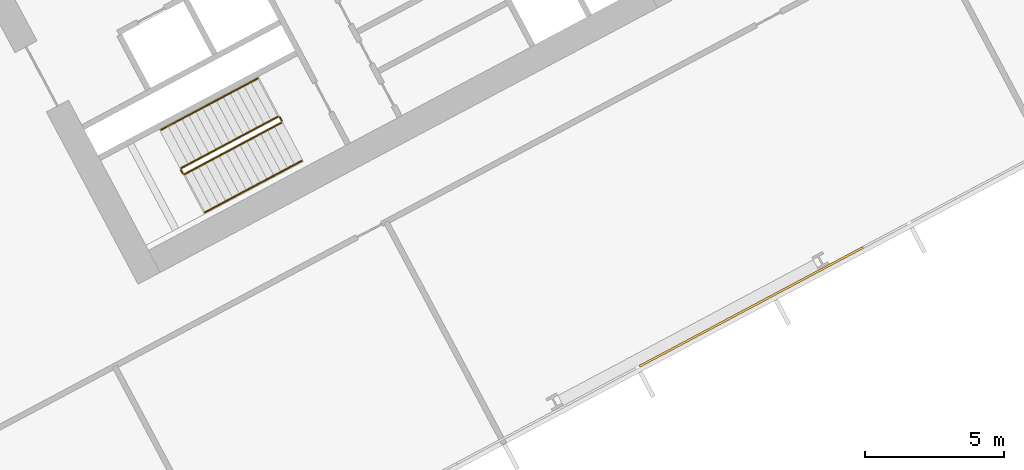
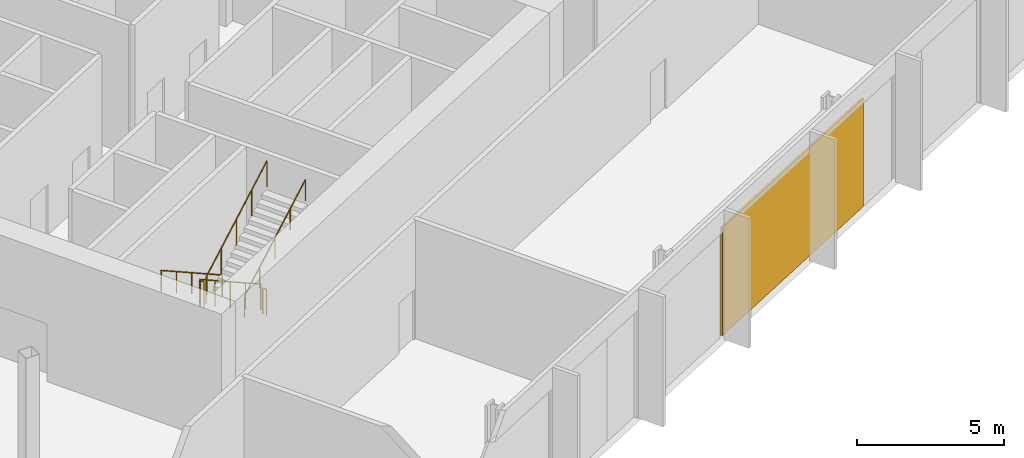
# One storey, part 27 of 31: 6 railings, 1 covering, 1 element without a shape of its own.
"""IFC4 building model written with IfcOpenShell, lengths in metres."""

from ifc_helpers import new_model, si_unit, direction, frame, origin, origin_2d, place, context, subcontext, project, spatial, polyline, rectangle, outline, extrude, material, layer, layer_set, type_object, element, aggregate, save


model = new_model("IFC4")

# Units and contexts
model_context = context("Model", 3, precision=1e-05, world=origin(), true_north=direction((0.0, 1.0)))
body_context = subcontext(model_context, "Body", "Model", "MODEL_VIEW")
ifc_project = project(units=[si_unit("LENGTHUNIT", "METRE"), si_unit("AREAUNIT", "SQUARE_METRE"), si_unit("VOLUMEUNIT", "CUBIC_METRE"), si_unit("PLANEANGLEUNIT", "RADIAN"), si_unit("MASSUNIT", "GRAM", prefix="KILO")], contexts=[model_context])

# Site, building, storey
site_placement = place(None, origin())
site = spatial("IfcSite", under=ifc_project, at=site_placement, CompositionType="ELEMENT")
building_placement = place(site_placement, origin())
building = spatial("IfcBuilding", under=site, at=building_placement, Name="Cormorant Relay Tower", CompositionType="ELEMENT")
storey_placement = place(building_placement, frame((0.0, 0.0, 33.800048828125)))
storey = spatial("IfcBuildingStorey", under=building, at=storey_placement, Name="L06", CompositionType="ELEMENT", Elevation=33.800048828125)

# Curtain wall, covering
ifc_material_1 = material(Name="Aluminium 6063-T6 anodised bronze", Category="aluminium")
ifc_layer_1 = layer(ifc_material_1, 0.235107421875)
ifc_layer_set_1 = layer_set([ifc_layer_1], Name="CW6 data hall curtain wall with mineral wool panels")
curtain_wall_type = type_object("IfcCurtainWallType", Name="CW6 data hall curtain wall with mineral wool panels", PredefinedType="NOTDEFINED", material=ifc_layer_set_1)
curtain_wall_placement = place(storey_placement, origin())
curtain_wall = element("IfcCurtainWall", 1, at=curtain_wall_placement, inside=storey, type_object=curtain_wall_type, Name="CW6 curtain wall 2", PredefinedType="NOTDEFINED")
ifc_material_2 = material(Name="Mineral wool cored anodised bronze aluminium cassette panel", Category="aluminium")
ifc_layer_2 = layer(ifc_material_2, 0.074951171875)
ifc_layer_set_2 = layer_set([ifc_layer_2], Name="CW6 mineral wool cassette panel 75")
covering_type = type_object("IfcCoveringType", Name="CW6 mineral wool cassette panel 75", PredefinedType="CLADDING", material=ifc_layer_set_2)
covering_placement = place(storey_placement, frame((40.80517578125, -2.1298828125, 0.0), z_axis=(0.0, 0.0, 1.0), x_axis=(0.882947592859, 0.469471562786, 0.0)))
covering = element("IfcCovering", 2, at=covering_placement, type_object=covering_type, Name="CW6 panel S07", PredefinedType="CLADDING", context=body_context, shape_type="SweptSolid", body=[
    extrude(rectangle(XDim=9.07373046875, YDim=0.074951171875, at=origin_2d()), origin(), (0.0, 0.0, 1.0), 4.5),
])
aggregate(curtain_wall, [covering])

# Railings
ifc_material_3 = material(Name="Steel ASTM A572 Grade 50 (Fy 345 MPa)", Category="steel")
railing_type_1 = type_object("IfcRailingType", Name="Stair guard 1100", PredefinedType="GUARDRAIL", material=ifc_material_3)
railing_1_placement = place(storey_placement, frame((23.83837890625, 4.6904296875, 0.179931640625)))
element("IfcRailing", 3, at=railing_1_placement, inside=storey, type_object=railing_type_1, Name="L06 B1 stair guard 1", PredefinedType="GUARDRAIL", context=body_context, shape_type="SweptSolid", body=[
    extrude(outline(polyline([(0.022216796875, 0.00927734375), (0.00927734375, 0.022216796875), (-0.00927734375, 0.022216796875), (-0.022216796875, 0.00927734375), (-0.022216796875, -0.00927734375), (-0.00927734375, -0.022216796875), (0.00927734375, -0.022216796875), (0.022216796875, -0.00927734375), (0.022216796875, 0.00927734375)])), frame((0.0, 0.0, 1.076171875), z_axis=(-0.74271721126, -0.394907409077, 0.540758062681), x_axis=(0.469469396681, -0.882948744594, 0.0)), (0.0, 0.0, 1.0), 4.66015625),
    extrude(outline(polyline([(0.019287109375, 0.008056640625), (0.008056640625, 0.019287109375), (-0.008056640625, 0.019287109375), (-0.019287109375, 0.008056640625), (-0.019287109375, -0.008056640625), (-0.008056640625, -0.019287109375), (0.008056640625, -0.019287109375), (0.019287109375, -0.008056640625), (0.019287109375, 0.008056640625)])), origin(), (0.0, 0.0, 1.0), 1.052001953125),
    extrude(outline(polyline([(0.019287109375, 0.008056640625), (0.008056640625, 0.019287109375), (-0.008056640625, 0.019287109375), (-0.019287109375, 0.008056640625), (-0.019287109375, -0.008056640625), (-0.008056640625, -0.019287109375), (0.008056640625, -0.019287109375), (0.019287109375, -0.008056640625), (0.019287109375, 0.008056640625)])), frame((-0.865234375, -0.4599609375, 0.6298828125)), (0.0, 0.0, 1.0), 1.052001953125),
    extrude(outline(polyline([(0.019287109375, 0.008056640625), (0.008056640625, 0.019287109375), (-0.008056640625, 0.019287109375), (-0.019287109375, 0.008056640625), (-0.019287109375, -0.008056640625), (-0.008056640625, -0.019287109375), (0.008056640625, -0.019287109375), (0.019287109375, -0.008056640625), (0.019287109375, 0.008056640625)])), frame((-1.73046875, -0.920166015625, 1.260009765625)), (0.0, 0.0, 1.0), 1.052001953125),
    extrude(outline(polyline([(0.019287109375, 0.008056640625), (0.008056640625, 0.019287109375), (-0.008056640625, 0.019287109375), (-0.019287109375, 0.008056640625), (-0.019287109375, -0.008056640625), (-0.008056640625, -0.019287109375), (0.008056640625, -0.019287109375), (0.019287109375, -0.008056640625), (0.019287109375, 0.008056640625)])), frame((-2.595947265625, -1.38037109375, 1.89013671875)), (0.0, 0.0, 1.0), 1.052001953125),
    extrude(outline(polyline([(0.019287109375, 0.008056640625), (0.008056640625, 0.019287109375), (-0.008056640625, 0.019287109375), (-0.019287109375, 0.008056640625), (-0.019287109375, -0.008056640625), (-0.008056640625, -0.019287109375), (0.008056640625, -0.019287109375), (0.019287109375, -0.008056640625), (0.019287109375, 0.008056640625)])), frame((-3.461181640625, -1.84033203125, 2.52001953125)), (0.0, 0.0, 1.0), 1.052001953125),
])
railing_2_placement = place(storey_placement, frame((20.3564453125, 2.782470703125, 2.699951171875)))
element("IfcRailing", 4, at=railing_2_placement, inside=storey, type_object=railing_type_1, Name="L06 B1 stair guard 2", PredefinedType="GUARDRAIL", context=body_context, shape_type="SweptSolid", body=[
    extrude(outline(polyline([(0.022216796875, 0.00927734375), (0.00927734375, 0.022216796875), (-0.00927734375, 0.022216796875), (-0.022216796875, 0.00927734375), (-0.022216796875, -0.00927734375), (-0.00927734375, -0.022216796875), (0.00927734375, -0.022216796875), (0.022216796875, -0.00927734375), (0.022216796875, 0.00927734375)])), frame((0.0, 0.0, 1.076171875), z_axis=(0.470503732759, -0.882398003998, 0.0), x_axis=(0.882398003998, 0.470503732759, 0.0)), (0.0, 0.0, 1.0), 0.14990234375),
    extrude(outline(polyline([(0.019287109375, 0.008056640625), (0.008056640625, 0.019287109375), (-0.008056640625, 0.019287109375), (-0.019287109375, 0.008056640625), (-0.019287109375, -0.008056640625), (-0.008056640625, -0.019287109375), (0.008056640625, -0.019287109375), (0.019287109375, -0.008056640625), (0.019287109375, 0.008056640625)])), origin(), (0.0, 0.0, 1.0), 1.052001953125),
    extrude(outline(polyline([(0.019287109375, 0.008056640625), (0.008056640625, 0.019287109375), (-0.008056640625, 0.019287109375), (-0.019287109375, 0.008056640625), (-0.019287109375, -0.008056640625), (-0.008056640625, -0.019287109375), (0.008056640625, -0.019287109375), (0.019287109375, -0.008056640625), (0.019287109375, 0.008056640625)])), frame((0.070556640625, -0.13232421875, 0.0)), (0.0, 0.0, 1.0), 1.052001953125),
])
railing_3_placement = place(storey_placement, frame((20.49462890625, 2.62939453125, 2.8798828125)))
element("IfcRailing", 5, at=railing_3_placement, inside=storey, type_object=railing_type_1, Name="L06 B1 stair guard 3", PredefinedType="GUARDRAIL", context=body_context, shape_type="SweptSolid", body=[
    extrude(outline(polyline([(0.022216796875, 0.00927734375), (0.00927734375, 0.022216796875), (-0.00927734375, 0.022216796875), (-0.022216796875, 0.00927734375), (-0.022216796875, -0.00927734375), (-0.00927734375, -0.022216796875), (0.00927734375, -0.022216796875), (0.022216796875, -0.00927734375), (0.022216796875, 0.00927734375)])), frame((0.0, 0.0, 1.076171875), z_axis=(0.742693720225, 0.394922775329, 0.540779104131), x_axis=(-0.469495214196, 0.882935016775, 0.0)), (0.0, 0.0, 1.0), 4.659912109375),
    extrude(outline(polyline([(0.019287109375, 0.008056640625), (0.008056640625, 0.019287109375), (-0.008056640625, 0.019287109375), (-0.019287109375, 0.008056640625), (-0.019287109375, -0.008056640625), (-0.008056640625, -0.019287109375), (0.008056640625, -0.019287109375), (0.019287109375, -0.008056640625), (0.019287109375, 0.008056640625)])), origin(), (0.0, 0.0, 1.0), 1.052001953125),
    extrude(outline(polyline([(0.019287109375, 0.008056640625), (0.008056640625, 0.019287109375), (-0.008056640625, 0.019287109375), (-0.019287109375, 0.008056640625), (-0.019287109375, -0.008056640625), (-0.008056640625, -0.019287109375), (0.008056640625, -0.019287109375), (0.019287109375, -0.008056640625), (0.019287109375, 0.008056640625)])), frame((0.865234375, 0.4599609375, 0.6298828125)), (0.0, 0.0, 1.0), 1.052001953125),
    extrude(outline(polyline([(0.019287109375, 0.008056640625), (0.008056640625, 0.019287109375), (-0.008056640625, 0.019287109375), (-0.019287109375, 0.008056640625), (-0.019287109375, -0.008056640625), (-0.008056640625, -0.019287109375), (0.008056640625, -0.019287109375), (0.019287109375, -0.008056640625), (0.019287109375, 0.008056640625)])), frame((1.73046875, 0.920166015625, 1.260009765625)), (0.0, 0.0, 1.0), 1.052001953125),
    extrude(outline(polyline([(0.019287109375, 0.008056640625), (0.008056640625, 0.019287109375), (-0.008056640625, 0.019287109375), (-0.019287109375, 0.008056640625), (-0.019287109375, -0.008056640625), (-0.008056640625, -0.019287109375), (0.008056640625, -0.019287109375), (0.019287109375, -0.008056640625), (0.019287109375, 0.008056640625)])), frame((2.595703125, 1.38037109375, 1.89013671875)), (0.0, 0.0, 1.0), 1.052001953125),
    extrude(outline(polyline([(0.019287109375, 0.008056640625), (0.008056640625, 0.019287109375), (-0.008056640625, 0.019287109375), (-0.019287109375, 0.008056640625), (-0.019287109375, -0.008056640625), (-0.008056640625, -0.019287109375), (0.008056640625, -0.019287109375), (0.019287109375, -0.008056640625), (0.019287109375, 0.008056640625)])), frame((3.4609375, 1.84033203125, 2.52001953125)), (0.0, 0.0, 1.0), 1.052001953125),
])
railing_4_placement = place(storey_placement, frame((23.906005859375, 4.669677734375, 0.0)))
element("IfcRailing", 6, at=railing_4_placement, inside=storey, type_object=railing_type_1, Name="L06 B1 stair guard 4", PredefinedType="GUARDRAIL", context=body_context, shape_type="SweptSolid", body=[
    extrude(outline(polyline([(0.022216796875, 0.00927734375), (0.00927734375, 0.022216796875), (-0.00927734375, 0.022216796875), (-0.022216796875, 0.00927734375), (-0.022216796875, -0.00927734375), (-0.00927734375, -0.022216796875), (0.00927734375, -0.022216796875), (0.022216796875, -0.00927734375), (0.022216796875, 0.00927734375)])), frame((0.0, 0.0, 1.076171875), z_axis=(0.469234640946, -0.883073525669, 0.0), x_axis=(0.883073525669, 0.469234640946, 0.0)), (0.0, 0.0, 1.0), 0.14990234375),
    extrude(outline(polyline([(0.019287109375, 0.008056640625), (0.008056640625, 0.019287109375), (-0.008056640625, 0.019287109375), (-0.019287109375, 0.008056640625), (-0.019287109375, -0.008056640625), (-0.008056640625, -0.019287109375), (0.008056640625, -0.019287109375), (0.019287109375, -0.008056640625), (0.019287109375, 0.008056640625)])), origin(), (0.0, 0.0, 1.0), 1.052001953125),
    extrude(outline(polyline([(0.019287109375, 0.008056640625), (0.008056640625, 0.019287109375), (-0.008056640625, 0.019287109375), (-0.019287109375, 0.008056640625), (-0.019287109375, -0.008056640625), (-0.008056640625, -0.019287109375), (0.008056640625, -0.019287109375), (0.019287109375, -0.008056640625), (0.019287109375, 0.008056640625)])), frame((0.0703125, -0.13232421875, 0.0)), (0.0, 0.0, 1.0), 1.052001953125),
])
ifc_material_4 = material(Name="Steel ASTM A572 Grade 50 (Fy 345 MPa)", Category="steel")
railing_type_2 = type_object("IfcRailingType", Name="Stair handrail 900", PredefinedType="HANDRAIL", material=ifc_material_4)
railing_5_placement = place(storey_placement, frame((23.110595703125, 6.05908203125, 0.179931640625)))
element("IfcRailing", 7, at=railing_5_placement, inside=storey, type_object=railing_type_2, Name="L06 B1 stair handrail 1", PredefinedType="HANDRAIL", context=body_context, shape_type="SweptSolid", body=[
    extrude(outline(polyline([(0.022216796875, 0.00927734375), (0.00927734375, 0.022216796875), (-0.00927734375, 0.022216796875), (-0.022216796875, 0.00927734375), (-0.022216796875, -0.00927734375), (-0.00927734375, -0.022216796875), (0.00927734375, -0.022216796875), (0.022216796875, -0.00927734375), (0.022216796875, 0.00927734375)])), frame((0.0, 0.0, 0.8759765625), z_axis=(-0.74271721126, -0.394907409077, 0.540758062681), x_axis=(0.469469396681, -0.882948744594, 0.0)), (0.0, 0.0, 1.0), 4.66015625),
    extrude(outline(polyline([(0.019287109375, 0.008056640625), (0.008056640625, 0.019287109375), (-0.008056640625, 0.019287109375), (-0.019287109375, 0.008056640625), (-0.019287109375, -0.008056640625), (-0.008056640625, -0.019287109375), (0.008056640625, -0.019287109375), (0.019287109375, -0.008056640625), (0.019287109375, 0.008056640625)])), origin(), (0.0, 0.0, 1.0), 0.851806640625),
    extrude(outline(polyline([(0.019287109375, 0.008056640625), (0.008056640625, 0.019287109375), (-0.008056640625, 0.019287109375), (-0.019287109375, 0.008056640625), (-0.019287109375, -0.008056640625), (-0.008056640625, -0.019287109375), (0.008056640625, -0.019287109375), (0.019287109375, -0.008056640625), (0.019287109375, 0.008056640625)])), frame((-0.865234375, -0.4599609375, 0.6298828125)), (0.0, 0.0, 1.0), 0.851806640625),
    extrude(outline(polyline([(0.019287109375, 0.008056640625), (0.008056640625, 0.019287109375), (-0.008056640625, 0.019287109375), (-0.019287109375, 0.008056640625), (-0.019287109375, -0.008056640625), (-0.008056640625, -0.019287109375), (0.008056640625, -0.019287109375), (0.019287109375, -0.008056640625), (0.019287109375, 0.008056640625)])), frame((-1.73046875, -0.920166015625, 1.260009765625)), (0.0, 0.0, 1.0), 0.851806640625),
    extrude(outline(polyline([(0.019287109375, 0.008056640625), (0.008056640625, 0.019287109375), (-0.008056640625, 0.019287109375), (-0.019287109375, 0.008056640625), (-0.019287109375, -0.008056640625), (-0.008056640625, -0.019287109375), (0.008056640625, -0.019287109375), (0.019287109375, -0.008056640625), (0.019287109375, 0.008056640625)])), frame((-2.595947265625, -1.38037109375, 1.89013671875)), (0.0, 0.0, 1.0), 0.851806640625),
    extrude(outline(polyline([(0.019287109375, 0.008056640625), (0.008056640625, 0.019287109375), (-0.008056640625, 0.019287109375), (-0.019287109375, 0.008056640625), (-0.019287109375, -0.008056640625), (-0.008056640625, -0.019287109375), (0.008056640625, -0.019287109375), (0.019287109375, -0.008056640625), (0.019287109375, 0.008056640625)])), frame((-3.461181640625, -1.84033203125, 2.52001953125)), (0.0, 0.0, 1.0), 0.851806640625),
])
railing_6_placement = place(storey_placement, frame((21.22216796875, 1.2607421875, 2.8798828125)))
element("IfcRailing", 8, at=railing_6_placement, inside=storey, type_object=railing_type_2, Name="L06 B1 stair handrail 2", PredefinedType="HANDRAIL", context=body_context, shape_type="SweptSolid", body=[
    extrude(outline(polyline([(0.022216796875, 0.00927734375), (0.00927734375, 0.022216796875), (-0.00927734375, 0.022216796875), (-0.022216796875, 0.00927734375), (-0.022216796875, -0.00927734375), (-0.00927734375, -0.022216796875), (0.00927734375, -0.022216796875), (0.022216796875, -0.00927734375), (0.022216796875, 0.00927734375)])), frame((0.0, 0.0, 0.8759765625), z_axis=(0.74271721126, 0.394907409077, 0.540758062681), x_axis=(-0.469469396681, 0.882948744594, 0.0)), (0.0, 0.0, 1.0), 4.66015625),
    extrude(outline(polyline([(0.019287109375, 0.008056640625), (0.008056640625, 0.019287109375), (-0.008056640625, 0.019287109375), (-0.019287109375, 0.008056640625), (-0.019287109375, -0.008056640625), (-0.008056640625, -0.019287109375), (0.008056640625, -0.019287109375), (0.019287109375, -0.008056640625), (0.019287109375, 0.008056640625)])), origin(), (0.0, 0.0, 1.0), 0.851806640625),
    extrude(outline(polyline([(0.019287109375, 0.008056640625), (0.008056640625, 0.019287109375), (-0.008056640625, 0.019287109375), (-0.019287109375, 0.008056640625), (-0.019287109375, -0.008056640625), (-0.008056640625, -0.019287109375), (0.008056640625, -0.019287109375), (0.019287109375, -0.008056640625), (0.019287109375, 0.008056640625)])), frame((0.865234375, 0.4599609375, 0.6298828125)), (0.0, 0.0, 1.0), 0.851806640625),
    extrude(outline(polyline([(0.019287109375, 0.008056640625), (0.008056640625, 0.019287109375), (-0.008056640625, 0.019287109375), (-0.019287109375, 0.008056640625), (-0.019287109375, -0.008056640625), (-0.008056640625, -0.019287109375), (0.008056640625, -0.019287109375), (0.019287109375, -0.008056640625), (0.019287109375, 0.008056640625)])), frame((1.73046875, 0.920166015625, 1.260009765625)), (0.0, 0.0, 1.0), 0.851806640625),
    extrude(outline(polyline([(0.019287109375, 0.008056640625), (0.008056640625, 0.019287109375), (-0.008056640625, 0.019287109375), (-0.019287109375, 0.008056640625), (-0.019287109375, -0.008056640625), (-0.008056640625, -0.019287109375), (0.008056640625, -0.019287109375), (0.019287109375, -0.008056640625), (0.019287109375, 0.008056640625)])), frame((2.595947265625, 1.38037109375, 1.89013671875)), (0.0, 0.0, 1.0), 0.851806640625),
    extrude(outline(polyline([(0.019287109375, 0.008056640625), (0.008056640625, 0.019287109375), (-0.008056640625, 0.019287109375), (-0.019287109375, 0.008056640625), (-0.019287109375, -0.008056640625), (-0.008056640625, -0.019287109375), (0.008056640625, -0.019287109375), (0.019287109375, -0.008056640625), (0.019287109375, 0.008056640625)])), frame((3.461181640625, 1.84033203125, 2.52001953125)), (0.0, 0.0, 1.0), 0.851806640625),
])

save(model, "model.ifc")
